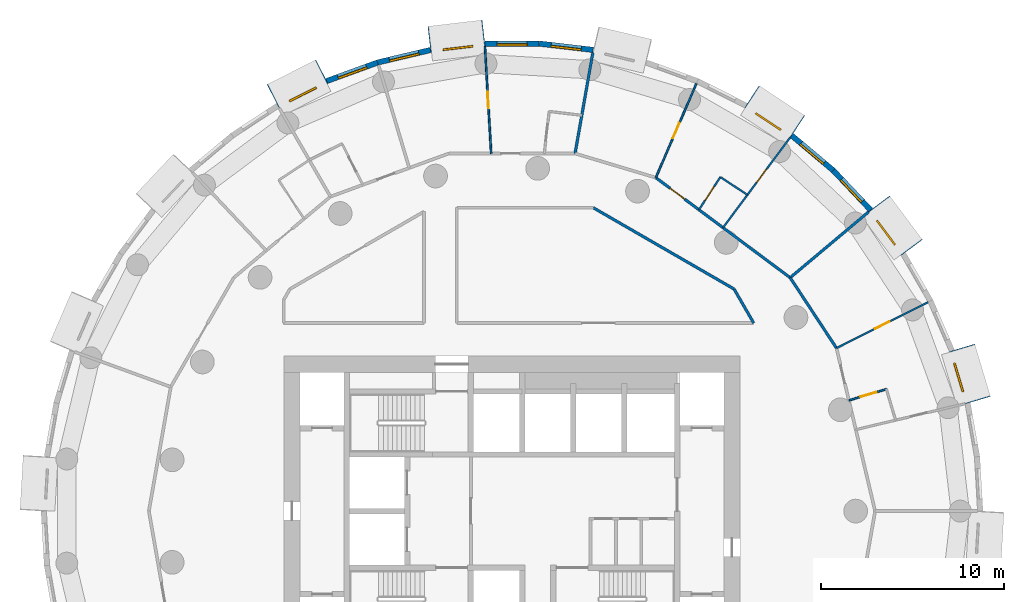
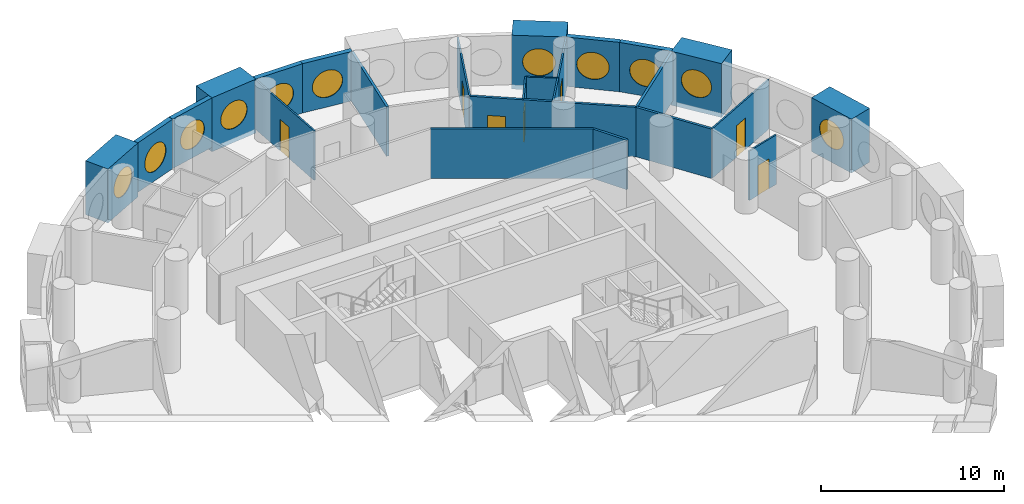
# One storey, part 7 of 9: 25 walls, 11 windows, 7 doors, 18 openings.
"""IFC4 building model written with IfcOpenShell, lengths in metres."""

import ifcopenshell
import ifcopenshell.guid

model = None  # the IFC model being written
_history = None  # IfcOwnerHistory: only IFC2X3 demands one
_inside = {}  # id of a spatial element -> (the spatial element, [elements in it])
_under = {}  # id of a project, library or spatial element -> (it, [spatial elements below it])
_declared = {}  # id of a project -> (the project, [libraries it declares])
_typed = {}  # id of a type object -> (the type object, [elements of that type])
_made_of = {}  # id of a material, layer set ... -> (it, [elements and type objects made of it])


def new_model(schema):
    """Start an empty IFC model of exactly this schema.

    Asked for "IFC4X3", IfcOpenShell would pick the latest addendum, in which some entities
    have other attributes; the version numbers below select the first issue.
    IFC2X3 requires an IfcOwnerHistory on every rooted entity: one is made here for all.
    """
    global model, _history
    if schema == "IFC4X3":
        model = ifcopenshell.file(schema_version=(4, 3, 0, 0))
    else:
        model = ifcopenshell.file(schema=schema)
    _inside.clear()
    _under.clear()
    _declared.clear()
    _typed.clear()
    _made_of.clear()
    _history = None
    if model.schema == "IFC2X3":
        org = make("IfcOrganization", Name="unknown")
        user = make(
            "IfcPersonAndOrganization",
            ThePerson=make("IfcPerson", FamilyName="unknown"),
            TheOrganization=org,
        )
        app = make(
            "IfcApplication",
            ApplicationDeveloper=org,
            Version="unknown",
            ApplicationFullName="unknown",
            ApplicationIdentifier="unknown",
        )
        _history = make(
            "IfcOwnerHistory",
            OwningUser=user,
            OwningApplication=app,
            ChangeAction="ADDED",
            CreationDate=0,
        )
    return model


def make(cls, **values):
    """One entity of the class cls with the attributes given. An attribute that is None is left unset."""
    return model.create_entity(
        cls, **{name: value for name, value in values.items() if value is not None}
    )


def rooted(cls, **values):
    """An entity with a GlobalId (a new one), such as an element, a storey or a relation."""
    return make(cls, GlobalId=ifcopenshell.guid.new(), OwnerHistory=_history, **values)


def si_unit(unit_type, name, prefix=None):
    """IfcSIUnit, for example si_unit("LENGTHUNIT", "METRE", prefix="MILLI")."""
    return make("IfcSIUnit", UnitType=unit_type, Prefix=prefix, Name=name)


def assignment(units):
    """IfcUnitAssignment: the units of a project."""
    return None if units is None else make("IfcUnitAssignment", Units=units)


def point(xyz):
    """IfcCartesianPoint."""
    return None if xyz is None else make("IfcCartesianPoint", Coordinates=xyz)


def direction(xyz):
    """IfcDirection."""
    return None if xyz is None else make("IfcDirection", DirectionRatios=xyz)


def frame(location, z_axis=None, x_axis=None):
    """IfcAxis2Placement3D, a coordinate frame: its origin and axes. An axis left out is left unset."""
    return make(
        "IfcAxis2Placement3D",
        Location=point(location),
        Axis=direction(z_axis),
        RefDirection=direction(x_axis),
    )


def frame_2d(location, x_axis=None):
    """IfcAxis2Placement2D, a coordinate frame in the plane: its origin and x axis."""
    return make(
        "IfcAxis2Placement2D", Location=point(location), RefDirection=direction(x_axis)
    )


def origin():
    """The frame at (0, 0, 0) with its axes left unset."""
    return frame((0.0, 0.0, 0.0))


def origin_2d():
    """The frame at (0, 0) in the plane with its x axis left unset."""
    return frame_2d((0.0, 0.0))


def place(relative_to, where):
    """IfcLocalPlacement: puts the frame where relative to a parent placement (None: the world)."""
    return make(
        "IfcLocalPlacement", PlacementRelTo=relative_to, RelativePlacement=where
    )


def context(
    kind, dimensions, precision=None, world=None, true_north=None, identifier=None
):
    """IfcGeometricRepresentationContext, for example the 3D "Model" context."""
    return make(
        "IfcGeometricRepresentationContext",
        ContextIdentifier=identifier,
        ContextType=kind,
        CoordinateSpaceDimension=dimensions,
        Precision=precision,
        WorldCoordinateSystem=world,
        TrueNorth=true_north,
    )


def subcontext(parent, identifier, kind, view, scale=None):
    """IfcGeometricRepresentationSubContext, for example "Body" below "Model"."""
    return make(
        "IfcGeometricRepresentationSubContext",
        ContextIdentifier=identifier,
        ContextType=kind,
        ParentContext=parent,
        TargetScale=scale,
        TargetView=view,
    )


def project(units=None, contexts=None):
    """IfcProject with its units and contexts."""
    return rooted(
        "IfcProject",
        Name="project",
        RepresentationContexts=contexts,
        UnitsInContext=assignment(units),
    )


def spatial(cls, under=None, at=None, **own):
    """A site, building, storey or space (cls), placed at a placement, below another one or the project."""
    s = rooted(cls, ObjectPlacement=at, **own)
    if under is not None:
        _under.setdefault(under.id(), (under, []))[1].append(s)
    return s


def profile(cls, at=None, kind="AREA", **sizes):
    """A parametric profile (cls). Its sizes go by their IFC names, for example OverallWidth=200.0."""
    return make(cls, ProfileType=kind, Position=at, **sizes)


def rectangle(**sizes):
    """IfcRectangleProfileDef."""
    return profile("IfcRectangleProfileDef", **sizes)


def circle(**sizes):
    """IfcCircleProfileDef."""
    return profile("IfcCircleProfileDef", **sizes)


def extrude(swept, where, along, depth):
    """IfcExtrudedAreaSolid: the profile swept, set in the frame where, extruded along a direction by depth."""
    return make(
        "IfcExtrudedAreaSolid",
        SweptArea=swept,
        Position=where,
        ExtrudedDirection=direction(along),
        Depth=depth,
    )


def shape(context_of_items, identifier, shape_type, items):
    """IfcShapeRepresentation: the items that make up one representation, for example the "Body"."""
    return make(
        "IfcShapeRepresentation",
        ContextOfItems=context_of_items,
        RepresentationIdentifier=identifier,
        RepresentationType=shape_type,
        Items=items,
    )


def material(Name=None, Category=None):
    """IfcMaterial."""
    return make("IfcMaterial", Name=Name, Category=Category)


def layer(
    of_material, thickness, ventilated=None, Name=None, Category=None, Priority=None
):
    """IfcMaterialLayer: one layer of a wall or slab, of a material (None: an air gap)."""
    return make(
        "IfcMaterialLayer",
        Material=of_material,
        LayerThickness=thickness,
        IsVentilated=ventilated,
        Name=Name,
        Category=Category,
        Priority=Priority,
    )


def layer_set(layers, Name=None):
    """IfcMaterialLayerSet."""
    return make("IfcMaterialLayerSet", MaterialLayers=layers, LayerSetName=Name)


def made_of(thing, what):
    """Note that an element or type object is made of a material, layer set ...; save() writes the relation."""
    if what is not None:
        _made_of.setdefault(what.id(), (what, []))[1].append(thing)
    return thing


def type_object(cls, material=None, **own):
    """A type object (cls), such as IfcWallType, which elements share."""
    return made_of(rooted(cls, **own), material)


def element(
    cls,
    number,
    at=None,
    inside=None,
    cuts=None,
    type_object=None,
    material=None,
    context=None,
    identifier="Body",
    shape_type=None,
    held_by="IfcProductDefinitionShape",
    body=None,
    shapes=None,
    **own,
):
    """One element of the class cls, such as IfcWall. Its Tag is "e" and its number.

    at: its placement. inside: the storey or other place that contains it. cuts: it is an
    opening in that element (IfcRelVoidsElement). A single representation is given by context,
    identifier, shape_type and body (its items); several are given by shapes. held_by: the class
    of the entity that holds the representations. save() writes the other relations.
    """
    e = rooted(cls, Tag="e%d" % number, ObjectPlacement=at, **own)
    if body is not None:
        shapes = [shape(context, identifier, shape_type, body)]
    if shapes is not None:
        e.Representation = make(held_by, Representations=shapes)
    if inside is not None:
        _inside.setdefault(inside.id(), (inside, []))[1].append(e)
    if cuts is not None:
        rooted(
            "IfcRelVoidsElement", RelatingBuildingElement=cuts, RelatedOpeningElement=e
        )
    if type_object is not None:
        _typed.setdefault(type_object.id(), (type_object, []))[1].append(e)
    return made_of(e, material)


def fill(opening, filler):
    """IfcRelFillsElement: the door or window that sits in an opening."""
    return rooted(
        "IfcRelFillsElement",
        RelatingOpeningElement=opening,
        RelatedBuildingElement=filler,
    )


def aggregate(whole, parts):
    """IfcRelAggregates: a whole, such as a stair, and the parts it consists of."""
    return rooted("IfcRelAggregates", RelatingObject=whole, RelatedObjects=parts)


def save(model, path):
    """Write the relations noted so far, then the file.

    IfcRelAggregates (storeys below a building ...), IfcRelContainedInSpatialStructure (elements
    in a storey), IfcRelDefinesByType, IfcRelAssociatesMaterial and IfcRelDeclares: one each for
    every whole, place, type object, material and project.
    """
    for whole, parts in _under.values():
        aggregate(whole, parts)
    for where, things in _inside.values():
        rooted(
            "IfcRelContainedInSpatialStructure",
            RelatedElements=things,
            RelatingStructure=where,
        )
    for kind, things in _typed.values():
        rooted("IfcRelDefinesByType", RelatedObjects=things, RelatingType=kind)
    for what, things in _made_of.values():
        rooted("IfcRelAssociatesMaterial", RelatedObjects=things, RelatingMaterial=what)
    for by, libraries in _declared.values():
        rooted("IfcRelDeclares", RelatingContext=by, RelatedDefinitions=libraries)
    model.write(path)


model = new_model("IFC4")

# Units and contexts
model_context = context("Model", 3, precision=1e-05, world=origin(), true_north=direction((0.0, 1.0)))
body_context = subcontext(model_context, "Body", "Model", "MODEL_VIEW")
ifc_project = project(units=[si_unit("LENGTHUNIT", "METRE"), si_unit("AREAUNIT", "SQUARE_METRE"), si_unit("VOLUMEUNIT", "CUBIC_METRE"), si_unit("PLANEANGLEUNIT", "RADIAN"), si_unit("MASSUNIT", "GRAM", prefix="KILO")], contexts=[model_context])

# Site, building, storey
site_placement = place(None, origin())
site = spatial("IfcSite", under=ifc_project, at=site_placement, CompositionType="ELEMENT")
building_placement = place(site_placement, origin())
building = spatial("IfcBuilding", under=site, at=building_placement, Name="Tracery Tower", CompositionType="ELEMENT")
storey_placement = place(building_placement, frame((0.0, 0.0, 176.39990234375)))
storey = spatial("IfcBuildingStorey", under=building, at=storey_placement, Name="L45", CompositionType="ELEMENT", Elevation=176.39990234375)

# Wall, opening, window
ifc_material_1 = material(Name="Precast concrete C50/60", Category="concrete")
ifc_layer_1 = layer(ifc_material_1, 1.449951171875)
ifc_layer_set_1 = layer_set([ifc_layer_1], Name="Deep-set bay unit 3000 x 3600, slab edge 300")
wall_type_1 = type_object("IfcWallType", Name="Deep-set bay unit 3000 x 3600, slab edge 300", PredefinedType="ELEMENTEDWALL", material=ifc_layer_set_1)
wall_1_placement = place(storey_placement, frame((25.509521484375, 6.0712890625, -0.2998046875), z_axis=(0.0, 0.0, 1.0), x_axis=(-0.286780420304, 0.957996341606, 0.0)))
wall_1 = element("IfcWall", 1, at=wall_1_placement, inside=storey, type_object=wall_type_1, Name="Deep-set bay unit 3 at L45", PredefinedType="ELEMENTEDWALL", context=body_context, shape_type="SweptSolid", body=[
    extrude(rectangle(XDim=3.0, YDim=1.449951171875, at=frame_2d((1.5, 0.0))), origin(), (0.0, 0.0, 1.0), 3.599853515625),
])
opening_1_placement = place(wall_1_placement, frame((1.5, 0.0, 1.85009765625)))
opening_1 = element("IfcOpeningElement", 2, at=opening_1_placement, cuts=wall_1, Name="Opening WN1", PredefinedType="OPENING", context=body_context, shape_type="SweptSolid", body=[
    extrude(circle(Radius=0.9000244140625, at=origin_2d()), frame((0.0, 0.73486328125, 0.0), z_axis=(0.0, -1.0, 0.0), x_axis=(1.0, 0.0, 0.0)), (0.0, 0.0, 1.0), 1.469970703125),
])
ifc_material_2 = material(Name="Aluminium frame with tinted double glazing", Category="aluminium")
window_type = type_object("IfcWindowType", Name="Round window 1800", PartitioningType="SINGLE_PANEL", PredefinedType="WINDOW", material=ifc_material_2)
window_1_placement = place(opening_1_placement, origin())
window_1 = element("IfcWindow", 3, at=window_1_placement, inside=storey, type_object=window_type, Name="Round window 3 at L45", OverallHeight=1.800048828125, OverallWidth=1.800048828125, PartitioningType="SINGLE_PANEL", PredefinedType="WINDOW", context=body_context, shape_type="SweptSolid", body=[
    extrude(circle(Radius=0.9000244140625, at=origin_2d()), frame((0.0, 0.69482421875, 0.0), z_axis=(0.0, -1.0, 0.0), x_axis=(1.0, 0.0, 0.0)), (0.0, 0.0, 1.0), 0.10009765625),
])
fill(opening_1, window_1)

wall_2_placement = place(storey_placement, frame((21.89453125, 14.429931640625, -0.2998046875), z_axis=(0.0, 0.0, 1.0), x_axis=(-0.597183717734, 0.802104486506, 0.0)))
wall_2 = element("IfcWall", 4, at=wall_2_placement, inside=storey, type_object=wall_type_1, Name="Deep-set bay unit 6 at L45", PredefinedType="ELEMENTEDWALL", context=body_context, shape_type="SweptSolid", body=[
    extrude(rectangle(XDim=3.0, YDim=1.449951171875, at=frame_2d((1.5, 0.0))), origin(), (0.0, 0.0, 1.0), 3.599853515625),
])
opening_2_placement = place(wall_2_placement, frame((1.5, 0.0, 1.85009765625)))
opening_2 = element("IfcOpeningElement", 5, at=opening_2_placement, cuts=wall_2, Name="Opening WN1", PredefinedType="OPENING", context=body_context, shape_type="SweptSolid", body=[
    extrude(circle(Radius=0.9000244140625, at=origin_2d()), frame((0.0, 0.73486328125, 0.0), z_axis=(0.0, -1.0, 0.0), x_axis=(1.0, 0.0, 0.0)), (0.0, 0.0, 1.0), 1.469970703125),
])
window_2_placement = place(opening_2_placement, origin())
window_2 = element("IfcWindow", 6, at=window_2_placement, inside=storey, type_object=window_type, Name="Round window 6 at L45", OverallHeight=1.800048828125, OverallWidth=1.800048828125, PartitioningType="SINGLE_PANEL", PredefinedType="WINDOW", context=body_context, shape_type="SweptSolid", body=[
    extrude(circle(Radius=0.9000244140625, at=origin_2d()), frame((0.0, 0.69482421875, 0.0), z_axis=(0.0, -1.0, 0.0), x_axis=(1.0, 0.0, 0.0)), (0.0, 0.0, 1.0), 0.10009765625),
])
fill(opening_2, window_2)

wall_3_placement = place(storey_placement, frame((15.638916015625, 21.048095703125, -0.2998046875), z_axis=(0.0, 0.0, 1.0), x_axis=(-0.835514416706, 0.549468524554, 0.0)))
wall_3 = element("IfcWall", 7, at=wall_3_placement, inside=storey, type_object=wall_type_1, Name="Deep-set bay unit 9 at L45", PredefinedType="ELEMENTEDWALL", context=body_context, shape_type="SweptSolid", body=[
    extrude(rectangle(XDim=3.0, YDim=1.449951171875, at=frame_2d((1.5, 0.0))), origin(), (0.0, 0.0, 1.0), 3.599853515625),
])
opening_3_placement = place(wall_3_placement, frame((1.5, 0.0, 1.85009765625)))
opening_3 = element("IfcOpeningElement", 8, at=opening_3_placement, cuts=wall_3, Name="Opening WN1", PredefinedType="OPENING", context=body_context, shape_type="SweptSolid", body=[
    extrude(circle(Radius=0.9000244140625, at=origin_2d()), frame((0.0, 0.73486328125, 0.0), z_axis=(0.0, -1.0, 0.0), x_axis=(1.0, 0.0, 0.0)), (0.0, 0.0, 1.0), 1.469970703125),
])
window_3_placement = place(opening_3_placement, origin())
window_3 = element("IfcWindow", 9, at=window_3_placement, inside=storey, type_object=window_type, Name="Round window 9 at L45", OverallHeight=1.800048828125, OverallWidth=1.800048828125, PartitioningType="SINGLE_PANEL", PredefinedType="WINDOW", context=body_context, shape_type="SweptSolid", body=[
    extrude(circle(Radius=0.9000244140625, at=origin_2d()), frame((0.0, 0.69482421875, 0.0), z_axis=(0.0, -1.0, 0.0), x_axis=(1.0, 0.0, 0.0)), (0.0, 0.0, 1.0), 0.10009765625),
])
fill(opening_3, window_3)

wall_4_placement = place(storey_placement, frame((-1.54931640625, 26.17626953125, -0.2998046875), z_axis=(0.0, 0.0, 1.0), x_axis=(-0.9932342274, -0.116128246006, 0.0)))
wall_4 = element("IfcWall", 10, at=wall_4_placement, inside=storey, type_object=wall_type_1, Name="Deep-set bay unit 15 at L45", PredefinedType="ELEMENTEDWALL", context=body_context, shape_type="SweptSolid", body=[
    extrude(rectangle(XDim=3.0, YDim=1.449951171875, at=frame_2d((1.5, 0.0))), origin(), (0.0, 0.0, 1.0), 3.599853515625),
])
opening_4_placement = place(wall_4_placement, frame((1.5, 0.0, 1.85009765625)))
opening_4 = element("IfcOpeningElement", 11, at=opening_4_placement, cuts=wall_4, Name="Opening WN1", PredefinedType="OPENING", context=body_context, shape_type="SweptSolid", body=[
    extrude(circle(Radius=0.9000244140625, at=origin_2d()), frame((0.0, 0.73486328125, 0.0), z_axis=(0.0, -1.0, 0.0), x_axis=(1.0, 0.0, 0.0)), (0.0, 0.0, 1.0), 1.469970703125),
])
window_4_placement = place(opening_4_placement, origin())
window_4 = element("IfcWindow", 12, at=window_4_placement, inside=storey, type_object=window_type, Name="Round window 15 at L45", OverallHeight=1.800048828125, OverallWidth=1.800048828125, PartitioningType="SINGLE_PANEL", PredefinedType="WINDOW", context=body_context, shape_type="SweptSolid", body=[
    extrude(circle(Radius=0.9000244140625, at=origin_2d()), frame((0.0, 0.69482421875, 0.0), z_axis=(0.0, -1.0, 0.0), x_axis=(1.0, 0.0, 0.0)), (0.0, 0.0, 1.0), 0.10009765625),
])
fill(opening_4, window_4)

wall_5_placement = place(storey_placement, frame((-10.40869140625, 24.067626953125, -0.2998046875), z_axis=(0.0, 0.0, 1.0), x_axis=(-0.893628249713, -0.448807922518, 0.0)))
wall_5 = element("IfcWall", 13, at=wall_5_placement, inside=storey, type_object=wall_type_1, Name="Deep-set bay unit 18 at L45", PredefinedType="ELEMENTEDWALL", context=body_context, shape_type="SweptSolid", body=[
    extrude(rectangle(XDim=3.0, YDim=1.449951171875, at=frame_2d((1.5, 0.0))), origin(), (0.0, 0.0, 1.0), 3.599853515625),
])
opening_5_placement = place(wall_5_placement, frame((1.5, 0.0, 1.85009765625)))
opening_5 = element("IfcOpeningElement", 14, at=opening_5_placement, cuts=wall_5, Name="Opening WN1", PredefinedType="OPENING", context=body_context, shape_type="SweptSolid", body=[
    extrude(circle(Radius=0.9000244140625, at=origin_2d()), frame((0.0, 0.73486328125, 0.0), z_axis=(0.0, -1.0, 0.0), x_axis=(1.0, 0.0, 0.0)), (0.0, 0.0, 1.0), 1.469970703125),
])
window_5_placement = place(opening_5_placement, origin())
window_5 = element("IfcWindow", 15, at=window_5_placement, inside=storey, type_object=window_type, Name="Round window 18 at L45", OverallHeight=1.800048828125, OverallWidth=1.800048828125, PartitioningType="SINGLE_PANEL", PredefinedType="WINDOW", context=body_context, shape_type="SweptSolid", body=[
    extrude(circle(Radius=0.9000244140625, at=origin_2d()), frame((0.0, 0.69482421875, 0.0), z_axis=(0.0, -1.0, 0.0), x_axis=(1.0, 0.0, 0.0)), (0.0, 0.0, 1.0), 0.10009765625),
])
fill(opening_5, window_5)

ifc_material_3 = material(Name="Precast concrete C50/60", Category="concrete")
ifc_layer_2 = layer(ifc_material_3, 0.300048828125)
ifc_layer_set_2 = layer_set([ifc_layer_2], Name="Facade panel 3000 x 3300")
wall_type_2 = type_object("IfcWallType", Name="Facade panel 3000 x 3300", PredefinedType="SOLIDWALL", material=ifc_layer_set_2)
wall_6_placement = place(storey_placement, frame((19.640380859375, 16.492919921875, 0.0), z_axis=(0.0, 0.0, 1.0), x_axis=(-0.686235184166, 0.727379730273, 0.0)))
wall_6 = element("IfcWall", 16, at=wall_6_placement, inside=storey, type_object=wall_type_2, Name="Facade panel 7 at L45", PredefinedType="SOLIDWALL", context=body_context, shape_type="SweptSolid", body=[
    extrude(rectangle(XDim=2.972900390625, YDim=0.300048828125, at=frame_2d((1.486328125, 0.0))), origin(), (0.0, 0.0, 1.0), 3.300048828125),
])
opening_6_placement = place(wall_6_placement, frame((1.486328125, 0.0, 1.5498046875)))
opening_6 = element("IfcOpeningElement", 17, at=opening_6_placement, cuts=wall_6, Name="Opening WN1", PredefinedType="OPENING", context=body_context, shape_type="SweptSolid", body=[
    extrude(circle(Radius=0.9000244140625, at=origin_2d()), frame((0.0, 0.159912109375, 0.0), z_axis=(0.0, -1.0, 0.0), x_axis=(1.0, 0.0, 0.0)), (0.0, 0.0, 1.0), 0.320068359375),
])
window_6_placement = place(opening_6_placement, origin())
window_6 = element("IfcWindow", 18, at=window_6_placement, inside=storey, type_object=window_type, Name="Round window 7 at L45", OverallHeight=1.800048828125, OverallWidth=1.800048828125, PartitioningType="SINGLE_PANEL", PredefinedType="WINDOW", context=body_context, shape_type="SweptSolid", body=[
    extrude(circle(Radius=0.9000244140625, at=origin_2d()), frame((0.0, 0.1201171875, 0.0), z_axis=(0.0, -1.0, 0.0), x_axis=(1.0, 0.0, 0.0)), (0.0, 0.0, 1.0), 0.10009765625),
])
fill(opening_6, window_6)

wall_7_placement = place(storey_placement, frame((17.600341796875, 18.6552734375, 0.0), z_axis=(0.0, 0.0, 1.0), x_axis=(-0.766049350637, 0.642781761089, 0.0)))
wall_7 = element("IfcWall", 19, at=wall_7_placement, inside=storey, type_object=wall_type_2, Name="Facade panel 8 at L45", PredefinedType="SOLIDWALL", context=body_context, shape_type="SweptSolid", body=[
    extrude(rectangle(XDim=2.972900390625, YDim=0.300048828125, at=frame_2d((1.486328125, 0.0))), origin(), (0.0, 0.0, 1.0), 3.300048828125),
])
opening_7_placement = place(wall_7_placement, frame((1.486328125, 0.0, 1.5498046875)))
opening_7 = element("IfcOpeningElement", 20, at=opening_7_placement, cuts=wall_7, Name="Opening WN1", PredefinedType="OPENING", context=body_context, shape_type="SweptSolid", body=[
    extrude(circle(Radius=0.9000244140625, at=origin_2d()), frame((0.0, 0.159912109375, 0.0), z_axis=(0.0, -1.0, 0.0), x_axis=(1.0, 0.0, 0.0)), (0.0, 0.0, 1.0), 0.320068359375),
])
window_7_placement = place(opening_7_placement, origin())
window_7 = element("IfcWindow", 21, at=window_7_placement, inside=storey, type_object=window_type, Name="Round window 8 at L45", OverallHeight=1.800048828125, OverallWidth=1.800048828125, PartitioningType="SINGLE_PANEL", PredefinedType="WINDOW", context=body_context, shape_type="SweptSolid", body=[
    extrude(circle(Radius=0.9000244140625, at=origin_2d()), frame((0.0, 0.1201171875, 0.0), z_axis=(0.0, -1.0, 0.0), x_axis=(1.0, 0.0, 0.0)), (0.0, 0.0, 1.0), 0.10009765625),
])
fill(opening_7, window_7)

wall_8_placement = place(storey_placement, frame((4.444091796875, 25.259033203125, 0.0), z_axis=(0.0, 0.0, 1.0), x_axis=(-0.993245010522, 0.1160359818, 0.0)))
wall_8 = element("IfcWall", 22, at=wall_8_placement, inside=storey, type_object=wall_type_2, Name="Facade panel 13 at L45", PredefinedType="SOLIDWALL", context=body_context, shape_type="SweptSolid", body=[
    extrude(rectangle(XDim=2.972900390625, YDim=0.300048828125, at=frame_2d((1.486328125, 0.0))), origin(), (0.0, 0.0, 1.0), 3.300048828125),
])
opening_8_placement = place(wall_8_placement, frame((1.486328125, 0.0, 1.5498046875)))
opening_8 = element("IfcOpeningElement", 23, at=opening_8_placement, cuts=wall_8, Name="Opening WN1", PredefinedType="OPENING", context=body_context, shape_type="SweptSolid", body=[
    extrude(circle(Radius=0.9000244140625, at=origin_2d()), frame((0.0, 0.159912109375, 0.0), z_axis=(0.0, -1.0, 0.0), x_axis=(1.0, 0.0, 0.0)), (0.0, 0.0, 1.0), 0.320068359375),
])
window_8_placement = place(opening_8_placement, origin())
window_8 = element("IfcWindow", 24, at=window_8_placement, inside=storey, type_object=window_type, Name="Round window 13 at L45", OverallHeight=1.800048828125, OverallWidth=1.800048828125, PartitioningType="SINGLE_PANEL", PredefinedType="WINDOW", context=body_context, shape_type="SweptSolid", body=[
    extrude(circle(Radius=0.9000244140625, at=origin_2d()), frame((0.0, 0.1201171875, 0.0), z_axis=(0.0, -1.0, 0.0), x_axis=(1.0, 0.0, 0.0)), (0.0, 0.0, 1.0), 0.10009765625),
])
fill(opening_8, window_8)

wall_9_placement = place(storey_placement, frame((1.4912109375, 25.60400390625, 0.0), z_axis=(0.0, 0.0, 1.0), x_axis=(-1.0, 0.0, 0.0)))
wall_9 = element("IfcWall", 25, at=wall_9_placement, inside=storey, type_object=wall_type_2, Name="Facade panel 14 at L45", PredefinedType="SOLIDWALL", context=body_context, shape_type="SweptSolid", body=[
    extrude(rectangle(XDim=2.972900390625, YDim=0.300048828125, at=frame_2d((1.486328125, 0.0))), origin(), (0.0, 0.0, 1.0), 3.300048828125),
])
opening_9_placement = place(wall_9_placement, frame((1.486328125, 0.0, 1.5498046875)))
opening_9 = element("IfcOpeningElement", 26, at=opening_9_placement, cuts=wall_9, Name="Opening WN1", PredefinedType="OPENING", context=body_context, shape_type="SweptSolid", body=[
    extrude(circle(Radius=0.9000244140625, at=origin_2d()), frame((0.0, 0.159912109375, 0.0), z_axis=(0.0, -1.0, 0.0), x_axis=(1.0, 0.0, 0.0)), (0.0, 0.0, 1.0), 0.320068359375),
])
window_9_placement = place(opening_9_placement, origin())
window_9 = element("IfcWindow", 27, at=window_9_placement, inside=storey, type_object=window_type, Name="Round window 14 at L45", OverallHeight=1.800048828125, OverallWidth=1.800048828125, PartitioningType="SINGLE_PANEL", PredefinedType="WINDOW", context=body_context, shape_type="SweptSolid", body=[
    extrude(circle(Radius=0.9000244140625, at=origin_2d()), frame((0.0, 0.1201171875, 0.0), z_axis=(0.0, -1.0, 0.0), x_axis=(1.0, 0.0, 0.0)), (0.0, 0.0, 1.0), 0.10009765625),
])
fill(opening_9, window_9)

wall_10_placement = place(storey_placement, frame((-4.463134765625, 25.255615234375, 0.0), z_axis=(0.0, 0.0, 1.0), x_axis=(-0.973045378923, -0.230613725862, 0.0)))
wall_10 = element("IfcWall", 28, at=wall_10_placement, inside=storey, type_object=wall_type_2, Name="Facade panel 16 at L45", PredefinedType="SOLIDWALL", context=body_context, shape_type="SweptSolid", body=[
    extrude(rectangle(XDim=2.97265625, YDim=0.300048828125, at=frame_2d((1.486328125, 0.0))), origin(), (0.0, 0.0, 1.0), 3.300048828125),
])
opening_10_placement = place(wall_10_placement, frame((1.486328125, 0.0, 1.5498046875)))
opening_10 = element("IfcOpeningElement", 29, at=opening_10_placement, cuts=wall_10, Name="Opening WN1", PredefinedType="OPENING", context=body_context, shape_type="SweptSolid", body=[
    extrude(circle(Radius=0.9000244140625, at=origin_2d()), frame((0.0, 0.159912109375, 0.0), z_axis=(0.0, -1.0, 0.0), x_axis=(1.0, 0.0, 0.0)), (0.0, 0.0, 1.0), 0.320068359375),
])
window_10_placement = place(opening_10_placement, origin())
window_10 = element("IfcWindow", 30, at=window_10_placement, inside=storey, type_object=window_type, Name="Round window 16 at L45", OverallHeight=1.800048828125, OverallWidth=1.800048828125, PartitioningType="SINGLE_PANEL", PredefinedType="WINDOW", context=body_context, shape_type="SweptSolid", body=[
    extrude(circle(Radius=0.9000244140625, at=origin_2d()), frame((0.0, 0.1201171875, 0.0), z_axis=(0.0, -1.0, 0.0), x_axis=(1.0, 0.0, 0.0)), (0.0, 0.0, 1.0), 0.10009765625),
])
fill(opening_10, window_10)

wall_11_placement = place(storey_placement, frame((-7.355712890625, 24.570068359375, 0.0), z_axis=(0.0, 0.0, 1.0), x_axis=(-0.939690282133, -0.342026568652, 0.0)))
wall_11 = element("IfcWall", 31, at=wall_11_placement, inside=storey, type_object=wall_type_2, Name="Facade panel 17 at L45", PredefinedType="SOLIDWALL", context=body_context, shape_type="SweptSolid", body=[
    extrude(rectangle(XDim=2.972900390625, YDim=0.300048828125, at=frame_2d((1.486328125, 0.0))), origin(), (0.0, 0.0, 1.0), 3.300048828125),
])
opening_11_placement = place(wall_11_placement, frame((1.486328125, 0.0, 1.5498046875)))
opening_11 = element("IfcOpeningElement", 32, at=opening_11_placement, cuts=wall_11, Name="Opening WN1", PredefinedType="OPENING", context=body_context, shape_type="SweptSolid", body=[
    extrude(circle(Radius=0.9000244140625, at=origin_2d()), frame((0.0, 0.159912109375, 0.0), z_axis=(0.0, -1.0, 0.0), x_axis=(1.0, 0.0, 0.0)), (0.0, 0.0, 1.0), 0.320068359375),
])
window_11_placement = place(opening_11_placement, origin())
window_11 = element("IfcWindow", 33, at=window_11_placement, inside=storey, type_object=window_type, Name="Round window 17 at L45", OverallHeight=1.800048828125, OverallWidth=1.800048828125, PartitioningType="SINGLE_PANEL", PredefinedType="WINDOW", context=body_context, shape_type="SweptSolid", body=[
    extrude(circle(Radius=0.9000244140625, at=origin_2d()), frame((0.0, 0.1201171875, 0.0), z_axis=(0.0, -1.0, 0.0), x_axis=(1.0, 0.0, 0.0)), (0.0, 0.0, 1.0), 0.10009765625),
])
fill(opening_11, window_11)

# Wall, opening, door
ifc_material_4 = material(Name="Plasterboard on steel studs", Category="steel")
ifc_layer_3 = layer(ifc_material_4, 0.10009765625)
ifc_layer_set_3 = layer_set([ifc_layer_3], Name="Partition 100 stud")
wall_type_3 = type_object("IfcWallType", Name="Partition 100 stud", PredefinedType="PARTITIONING", material=ifc_layer_set_3)
wall_12_placement = place(storey_placement, frame((17.77197265625, 8.926025390625, 0.0), z_axis=(0.0, 0.0, 1.0), x_axis=(0.893668599189, 0.44872757306, 0.0)))
wall_12 = element("IfcWall", 34, at=wall_12_placement, inside=storey, type_object=wall_type_3, Name="Stud partition RB5-040", PredefinedType="PARTITIONING", context=body_context, shape_type="SweptSolid", body=[
    extrude(rectangle(XDim=5.609375, YDim=0.10009765625, at=frame_2d((2.8046875, 0.0))), origin(), (0.0, 0.0, 1.0), 3.300048828125),
])
opening_12_placement = place(wall_12_placement, frame((2.35498046875, 0.0, 0.0)))
opening_12 = element("IfcOpeningElement", 35, at=opening_12_placement, cuts=wall_12, Name="Opening RB5-06", PredefinedType="OPENING", context=body_context, shape_type="SweptSolid", body=[
    extrude(rectangle(XDim=0.89990234375, YDim=2.10009765625, at=frame_2d((0.449951171875, 1.050048828125))), frame((0.0, 0.050048828125, 0.0), z_axis=(0.0, -1.0, 0.0), x_axis=(1.0, 0.0, 0.0)), (0.0, 0.0, 1.0), 0.10009765625),
])
ifc_material_5 = material(Name="Timber door leaf", Category="wood")
door_type_1 = type_object("IfcDoorType", Name="Door bedroom 900", OperationType="NOTDEFINED", PredefinedType="DOOR", material=ifc_material_5)
door_1_placement = place(opening_12_placement, origin())
door_1 = element("IfcDoor", 36, at=door_1_placement, inside=storey, type_object=door_type_1, Name="Bedroom door RB5-06", OperationType="SINGLE_SWING_RIGHT", OverallHeight=2.10009765625, OverallWidth=0.89990234375, PredefinedType="DOOR", context=body_context, shape_type="SweptSolid", body=[
    extrude(rectangle(XDim=0.89990234375, YDim=2.10009765625, at=frame_2d((0.449951171875, 1.050048828125))), frame((0.0, 0.02490234375, 0.0), z_axis=(0.0, -1.0, 0.0), x_axis=(1.0, 0.0, 0.0)), (0.0, 0.0, 1.0), 0.050048828125),
])
fill(opening_12, door_1)

wall_13_placement = place(storey_placement, frame((12.89404296875, 17.320068359375, 0.0), z_axis=(0.0, 0.0, 1.0), x_axis=(0.597235338427, 0.802066051229, 0.0)))
wall_13 = element("IfcWall", 37, at=wall_13_placement, inside=storey, type_object=wall_type_3, Name="Stud partition RB5-046", PredefinedType="PARTITIONING", context=body_context, shape_type="SweptSolid", body=[
    extrude(rectangle(XDim=3.90478515625, YDim=0.10009765625, at=frame_2d((1.952392578125, 0.0))), origin(), (0.0, 0.0, 1.0), 3.300048828125),
])
opening_13_placement = place(wall_13_placement, frame((0.852783203125, 0.0, 0.0)))
opening_13 = element("IfcOpeningElement", 38, at=opening_13_placement, cuts=wall_13, Name="Opening RB5-09", PredefinedType="OPENING", context=body_context, shape_type="SweptSolid", body=[
    extrude(rectangle(XDim=0.89990234375, YDim=2.10009765625, at=frame_2d((0.449951171875, 1.050048828125))), frame((0.0, 0.050048828125, 0.0), z_axis=(0.0, -1.0, 0.0), x_axis=(1.0, 0.0, 0.0)), (0.0, 0.0, 1.0), 0.10009765625),
])
door_2_placement = place(opening_13_placement, origin())
door_2 = element("IfcDoor", 39, at=door_2_placement, inside=storey, type_object=door_type_1, Name="Bedroom door RB5-09", OperationType="SINGLE_SWING_RIGHT", OverallHeight=2.10009765625, OverallWidth=0.89990234375, PredefinedType="DOOR", context=body_context, shape_type="SweptSolid", body=[
    extrude(rectangle(XDim=0.89990234375, YDim=2.10009765625, at=frame_2d((0.449951171875, 1.050048828125))), frame((0.0, 0.02490234375, 0.0), z_axis=(0.0, -1.0, 0.0), x_axis=(1.0, 0.0, 0.0)), (0.0, 0.0, 1.0), 0.050048828125),
])
fill(opening_13, door_2)

wall_14_placement = place(storey_placement, frame((7.876953125, 18.260986328125, 0.0), z_axis=(0.0, 0.0, 1.0), x_axis=(0.39610837783, 0.91820376443, 0.0)))
wall_14 = element("IfcWall", 40, at=wall_14_placement, inside=storey, type_object=wall_type_3, Name="Stud partition RB5-047", PredefinedType="PARTITIONING", context=body_context, shape_type="SweptSolid", body=[
    extrude(rectangle(XDim=5.610107421875, YDim=0.10009765625, at=frame_2d((2.80517578125, 0.0))), origin(), (0.0, 0.0, 1.0), 3.300048828125),
])
opening_14_placement = place(wall_14_placement, frame((2.35498046875, 0.0, 0.0)))
opening_14 = element("IfcOpeningElement", 41, at=opening_14_placement, cuts=wall_14, Name="Opening RB5-10", PredefinedType="OPENING", context=body_context, shape_type="SweptSolid", body=[
    extrude(rectangle(XDim=0.89990234375, YDim=2.10009765625, at=frame_2d((0.449951171875, 1.050048828125))), frame((0.0, 0.050048828125, 0.0), z_axis=(0.0, -1.0, 0.0), x_axis=(1.0, 0.0, 0.0)), (0.0, 0.0, 1.0), 0.10009765625),
])
door_3_placement = place(opening_14_placement, origin())
door_3 = element("IfcDoor", 42, at=door_3_placement, inside=storey, type_object=door_type_1, Name="Bedroom door RB5-10", OperationType="SINGLE_SWING_RIGHT", OverallHeight=2.10009765625, OverallWidth=0.89990234375, PredefinedType="DOOR", context=body_context, shape_type="SweptSolid", body=[
    extrude(rectangle(XDim=0.89990234375, YDim=2.10009765625, at=frame_2d((0.449951171875, 1.050048828125))), frame((0.0, 0.02490234375, 0.0), z_axis=(0.0, -1.0, 0.0), x_axis=(1.0, 0.0, 0.0)), (0.0, 0.0, 1.0), 0.050048828125),
])
fill(opening_14, door_3)

wall_15_placement = place(storey_placement, frame((-1.48291015625, 25.4541015625, 0.0), z_axis=(0.0, 0.0, 1.0), x_axis=(0.058147412668, -0.998308007781, 0.0)))
wall_15 = element("IfcWall", 43, at=wall_15_placement, inside=storey, type_object=wall_type_3, Name="Stud partition RB5-052", PredefinedType="PARTITIONING", context=body_context, shape_type="SweptSolid", body=[
    extrude(rectangle(XDim=5.878173828125, YDim=0.10009765625, at=frame_2d((2.93896484375, 0.0))), origin(), (0.0, 0.0, 1.0), 3.300048828125),
])
opening_15_placement = place(wall_15_placement, frame((2.489013671875, 0.0, 0.0)))
opening_15 = element("IfcOpeningElement", 44, at=opening_15_placement, cuts=wall_15, Name="Opening RB5-13", PredefinedType="OPENING", context=body_context, shape_type="SweptSolid", body=[
    extrude(rectangle(XDim=0.89990234375, YDim=2.10009765625, at=frame_2d((0.449951171875, 1.050048828125))), frame((0.0, 0.050048828125, 0.0), z_axis=(0.0, -1.0, 0.0), x_axis=(1.0, 0.0, 0.0)), (0.0, 0.0, 1.0), 0.10009765625),
])
door_4_placement = place(opening_15_placement, origin())
door_4 = element("IfcDoor", 45, at=door_4_placement, inside=storey, type_object=door_type_1, Name="Bedroom door RB5-13", OperationType="SINGLE_SWING_RIGHT", OverallHeight=2.10009765625, OverallWidth=0.89990234375, PredefinedType="DOOR", context=body_context, shape_type="SweptSolid", body=[
    extrude(rectangle(XDim=0.89990234375, YDim=2.10009765625, at=frame_2d((0.449951171875, 1.050048828125))), frame((0.0, 0.02490234375, 0.0), z_axis=(0.0, -1.0, 0.0), x_axis=(1.0, 0.0, 0.0)), (0.0, 0.0, 1.0), 0.050048828125),
])
fill(opening_15, door_4)

ifc_material_6 = material(Name="Plasterboard on steel studs", Category="steel")
ifc_layer_4 = layer(ifc_material_6, 0.10009765625)
ifc_layer_set_4 = layer_set([ifc_layer_4], Name="Partition 100 wet wall")
wall_type_4 = type_object("IfcWallType", Name="Partition 100 wet wall", PredefinedType="PARTITIONING", material=ifc_layer_set_4)
wall_16_placement = place(storey_placement, frame((18.450927734375, 6.06396484375, 0.0), z_axis=(0.0, 0.0, 1.0), x_axis=(0.957992466662, 0.28679336432, 0.0)))
wall_16 = element("IfcWall", 46, at=wall_16_placement, inside=storey, type_object=wall_type_4, Name="Wet wall RB5-042", PredefinedType="PARTITIONING", context=body_context, shape_type="SweptSolid", body=[
    extrude(rectangle(XDim=2.140869140625, YDim=0.10009765625, at=frame_2d((1.0703125, 0.0))), origin(), (0.0, 0.0, 1.0), 3.300048828125),
])
opening_16_placement = place(wall_16_placement, frame((0.6708984375, 0.0, 0.0)))
opening_16 = element("IfcOpeningElement", 47, at=opening_16_placement, cuts=wall_16, Name="Opening RB5-07", PredefinedType="OPENING", context=body_context, shape_type="SweptSolid", body=[
    extrude(rectangle(XDim=0.89990234375, YDim=2.0, at=frame_2d((0.449951171875, 1.0))), frame((0.0, 0.050048828125, 0.0), z_axis=(0.0, -1.0, 0.0), x_axis=(1.0, 0.0, 0.0)), (0.0, 0.0, 1.0), 0.10009765625),
])
ifc_material_7 = material(Name="Timber door leaf", Category="wood")
door_type_2 = type_object("IfcDoorType", Name="Door shower room 900", OperationType="NOTDEFINED", PredefinedType="DOOR", material=ifc_material_7)
door_5_placement = place(opening_16_placement, origin())
door_5 = element("IfcDoor", 48, at=door_5_placement, inside=storey, type_object=door_type_2, Name="Shower room door RB5-07", OperationType="SINGLE_SWING_LEFT", OverallHeight=2.0, OverallWidth=0.89990234375, PredefinedType="DOOR", context=body_context, shape_type="SweptSolid", body=[
    extrude(rectangle(XDim=0.89990234375, YDim=2.0, at=frame_2d((0.449951171875, 1.0))), frame((0.0, 0.02490234375, 0.0), z_axis=(0.0, -1.0, 0.0), x_axis=(1.0, 0.0, 0.0)), (0.0, 0.0, 1.0), 0.050048828125),
])
fill(opening_16, door_5)

# Wall
wall_17_placement = place(storey_placement, frame((11.4130859375, 18.2939453125, 0.0), z_axis=(0.0, 0.0, 1.0), x_axis=(0.835530238932, -0.549444464738, 0.0)))
element("IfcWall", 49, at=wall_17_placement, inside=storey, type_object=wall_type_4, Name="Wet wall RB5-048", PredefinedType="PARTITIONING", context=body_context, shape_type="SweptSolid", body=[
    extrude(rectangle(XDim=1.7724609375, YDim=0.10009765625, at=frame_2d((0.88623046875, 0.0))), origin(), (0.0, 0.0, 1.0), 3.300048828125),
])

# Wall, opening, door
wall_18_placement = place(storey_placement, frame((10.236083984375, 16.5048828125, 0.0), z_axis=(0.0, 0.0, 1.0), x_axis=(0.5496123138, 0.835419837279, 0.0)))
wall_18 = element("IfcWall", 50, at=wall_18_placement, inside=storey, type_object=wall_type_4, Name="Wet wall RB5-049", PredefinedType="PARTITIONING", context=body_context, shape_type="SweptSolid", body=[
    extrude(rectangle(XDim=2.1416015625, YDim=0.10009765625, at=frame_2d((1.07080078125, 0.0))), origin(), (0.0, 0.0, 1.0), 3.300048828125),
])
opening_17_placement = place(wall_18_placement, frame((0.62060546875, 0.0, 0.0)))
opening_17 = element("IfcOpeningElement", 51, at=opening_17_placement, cuts=wall_18, Name="Opening RB5-11", PredefinedType="OPENING", context=body_context, shape_type="SweptSolid", body=[
    extrude(rectangle(XDim=0.89990234375, YDim=2.0, at=frame_2d((0.449951171875, 1.0))), frame((0.0, 0.050048828125, 0.0), z_axis=(0.0, -1.0, 0.0), x_axis=(1.0, 0.0, 0.0)), (0.0, 0.0, 1.0), 0.10009765625),
])
door_6_placement = place(opening_17_placement, origin())
door_6 = element("IfcDoor", 52, at=door_6_placement, inside=storey, type_object=door_type_2, Name="Shower room door RB5-11", OperationType="SINGLE_SWING_RIGHT", OverallHeight=2.0, OverallWidth=0.89990234375, PredefinedType="DOOR", context=body_context, shape_type="SweptSolid", body=[
    extrude(rectangle(XDim=0.89990234375, YDim=2.0, at=frame_2d((0.449951171875, 1.0))), frame((0.0, 0.02490234375, 0.0), z_axis=(0.0, -1.0, 0.0), x_axis=(1.0, 0.0, 0.0)), (0.0, 0.0, 1.0), 0.050048828125),
])
fill(opening_17, door_6)

# Walls
wall_19_placement = place(storey_placement, frame((11.555908203125, 15.52197265625, 0.0), z_axis=(0.0, 0.0, 1.0), x_axis=(0.596950542241, 0.802278037914, 0.0)))
element("IfcWall", 53, at=wall_19_placement, inside=storey, type_object=wall_type_4, Name="Wet wall RB5-050", PredefinedType="PARTITIONING", context=body_context, shape_type="SweptSolid", body=[
    extrude(rectangle(XDim=2.244873046875, YDim=0.10009765625, at=frame_2d((1.12255859375, 0.0))), origin(), (0.0, 0.0, 1.0), 3.300048828125),
])
ifc_material_8 = material(Name="Plasterboard on steel studs", Category="steel")
ifc_layer_5 = layer(ifc_material_8, 0.14990234375)
ifc_layer_set_5 = layer_set([ifc_layer_5], Name="Partition 150 acoustic unit wall")
wall_type_5 = type_object("IfcWallType", Name="Partition 150 acoustic unit wall", PredefinedType="PARTITIONING", material=ifc_layer_set_5)
wall_20_placement = place(storey_placement, frame((15.235107421875, 12.783935546875, 0.0), z_axis=(0.0, 0.0, 1.0), x_axis=(0.76609059793, 0.642732600514, 0.0)))
element("IfcWall", 54, at=wall_20_placement, inside=storey, type_object=wall_type_5, Name="Unit wall RB5-045", PredefinedType="PARTITIONING", context=body_context, shape_type="SweptSolid", body=[
    extrude(rectangle(XDim=5.60888671875, YDim=0.14990234375, at=frame_2d((2.804443359375, 0.0))), origin(), (0.0, 0.0, 1.0), 3.300048828125),
])
wall_21_placement = place(storey_placement, frame((3.45361328125, 19.5859375, 0.0), z_axis=(0.0, 0.0, 1.0), x_axis=(0.173700915874, 0.984798452387, 0.0)))
element("IfcWall", 55, at=wall_21_placement, inside=storey, type_object=wall_type_5, Name="Unit wall RB5-051", PredefinedType="PARTITIONING", context=body_context, shape_type="SweptSolid", body=[
    extrude(rectangle(XDim=5.609375, YDim=0.14990234375, at=frame_2d((2.8046875, 0.0))), origin(), (0.0, 0.0, 1.0), 3.300048828125),
])
ifc_material_9 = material(Name="Plasterboard on steel studs", Category="steel")
ifc_layer_6 = layer(ifc_material_9, 0.14990234375)
ifc_layer_set_6 = layer_set([ifc_layer_6], Name="Partition 150 corridor wall")
wall_type_6 = type_object("IfcWallType", Name="Partition 150 corridor wall", PredefinedType="PARTITIONING", material=ifc_layer_set_6)
wall_22_placement = place(storey_placement, frame((12.162109375, 12.162109375, 0.0), z_axis=(0.0, 0.0, 1.0), x_axis=(0.499961633463, -0.866047553582, 0.0)))
element("IfcWall", 56, at=wall_22_placement, inside=storey, type_object=wall_type_6, Name="Corridor wall RB5-005", PredefinedType="PARTITIONING", context=body_context, shape_type="SweptSolid", body=[
    extrude(rectangle(XDim=2.150146484375, YDim=0.14990234375, at=frame_2d((1.0751953125, 0.0))), origin(), (0.0, 0.0, 1.0), 3.300048828125),
])
wall_23_placement = place(storey_placement, frame((15.235107421875, 12.783935546875, 0.0), z_axis=(0.0, 0.0, 1.0), x_axis=(0.54943003049, -0.83553973071, 0.0)))
element("IfcWall", 57, at=wall_23_placement, inside=storey, type_object=wall_type_6, Name="Corridor wall RB5-008", PredefinedType="PARTITIONING", context=body_context, shape_type="SweptSolid", body=[
    extrude(rectangle(XDim=4.6171875, YDim=0.14990234375, at=frame_2d((2.30859375, 0.0))), origin(), (0.0, 0.0, 1.0), 3.300048828125),
])

# Wall, opening, door
wall_24_placement = place(storey_placement, frame((7.87744140625, 18.26171875, 0.0), z_axis=(0.0, 0.0, 1.0), x_axis=(0.802112550244, -0.597172886811, 0.0)))
wall_24 = element("IfcWall", 58, at=wall_24_placement, inside=storey, type_object=wall_type_6, Name="Corridor wall RB5-009", PredefinedType="PARTITIONING", context=body_context, shape_type="SweptSolid", body=[
    extrude(rectangle(XDim=9.1728515625, YDim=0.14990234375, at=frame_2d((4.58642578125, 0.0))), origin(), (0.0, 0.0, 1.0), 3.300048828125),
])
opening_18_placement = place(wall_24_placement, frame((0.971923828125, 0.0, 0.0)))
opening_18 = element("IfcOpeningElement", 59, at=opening_18_placement, cuts=wall_24, Name="Opening RB5-12", PredefinedType="OPENING", context=body_context, shape_type="SweptSolid", body=[
    extrude(rectangle(XDim=1.0, YDim=2.10009765625, at=frame_2d((0.5, 1.050048828125))), frame((0.0, 0.074951171875, 0.0), z_axis=(0.0, -1.0, 0.0), x_axis=(1.0, 0.0, 0.0)), (0.0, 0.0, 1.0), 0.14990234375),
])
ifc_material_10 = material(Name="Timber door leaf", Category="wood")
door_type_3 = type_object("IfcDoorType", Name="Door unit entrance 1000", OperationType="NOTDEFINED", PredefinedType="DOOR", material=ifc_material_10)
door_7_placement = place(opening_18_placement, origin())
door_7 = element("IfcDoor", 60, at=door_7_placement, inside=storey, type_object=door_type_3, Name="Unit entrance door RB5-12", OperationType="SINGLE_SWING_LEFT", OverallHeight=2.10009765625, OverallWidth=1.0, PredefinedType="DOOR", context=body_context, shape_type="SweptSolid", body=[
    extrude(rectangle(XDim=1.0, YDim=2.10009765625, at=frame_2d((0.5, 1.050048828125))), frame((0.0, 0.02490234375, 0.0), z_axis=(0.0, -1.0, 0.0), x_axis=(1.0, 0.0, 0.0)), (0.0, 0.0, 1.0), 0.050048828125),
])
fill(opening_18, door_7)

# Wall
wall_25_placement = place(storey_placement, frame((4.451904296875, 16.614013671875, 0.0), z_axis=(0.0, 0.0, 1.0), x_axis=(0.866005203721, -0.500034985904, 0.0)))
element("IfcWall", 61, at=wall_25_placement, inside=storey, type_object=wall_type_6, Name="Corridor wall RB5-015", PredefinedType="PARTITIONING", context=body_context, shape_type="SweptSolid", body=[
    extrude(rectangle(XDim=8.903076171875, YDim=0.14990234375, at=frame_2d((4.45166015625, 0.0))), origin(), (0.0, 0.0, 1.0), 3.300048828125),
])

save(model, "model.ifc")
